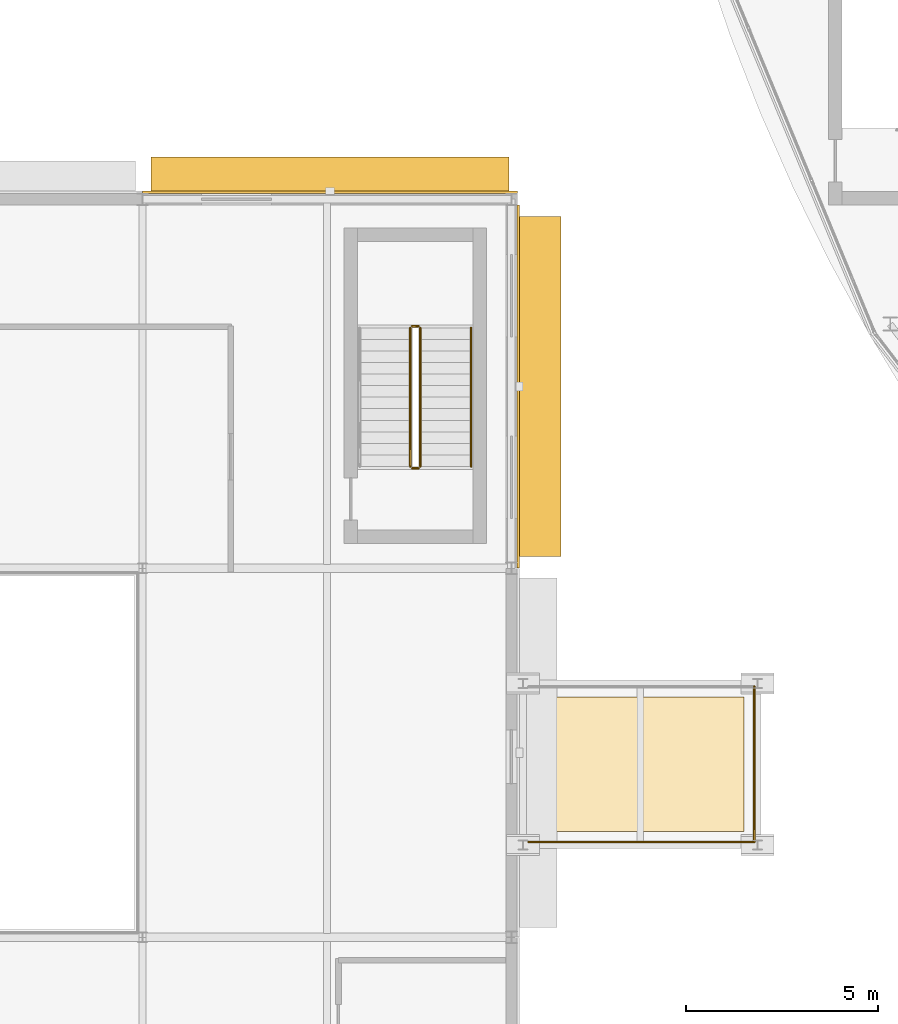
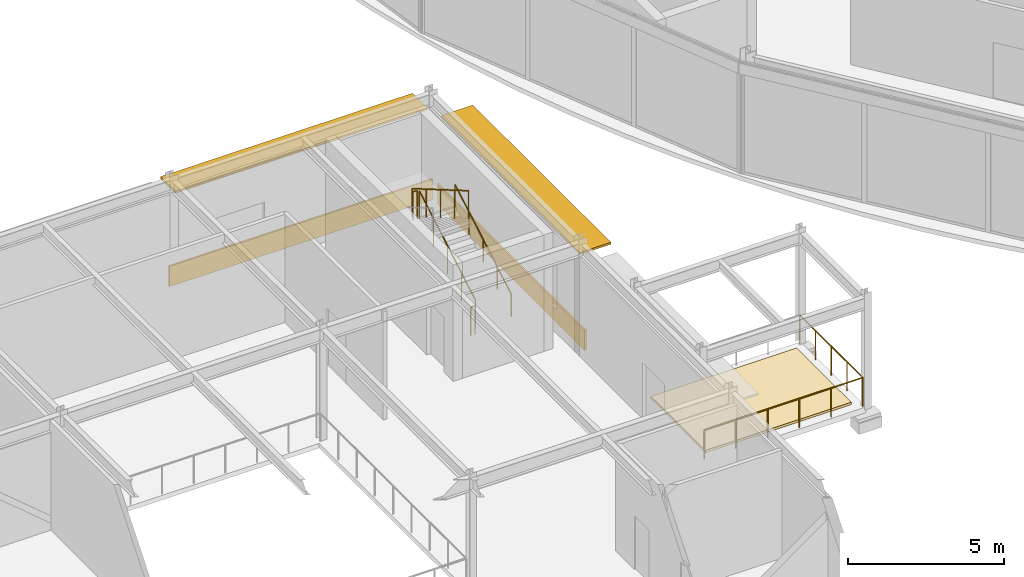
# One storey, part 137 of 157: 7 railings, 3 coverings, 2 shading devices.
"""IFC4 building model written with IfcOpenShell, lengths in metres."""

from ifc_helpers import new_model, si_unit, direction, frame, origin, origin_2d, place, context, subcontext, project, spatial, polyline, rectangle, circle, outline, extrude, material, layer, layer_set, type_object, element, save


model = new_model("IFC4")

# Units and contexts
model_context = context("Model", 3, precision=1e-05, world=origin(), true_north=direction((0.0, 1.0)))
body_context = subcontext(model_context, "Body", "Model", "MODEL_VIEW")
ifc_project = project(units=[si_unit("LENGTHUNIT", "METRE"), si_unit("AREAUNIT", "SQUARE_METRE"), si_unit("VOLUMEUNIT", "CUBIC_METRE"), si_unit("PLANEANGLEUNIT", "RADIAN"), si_unit("MASSUNIT", "GRAM", prefix="KILO")], contexts=[model_context])

# Site, building, storey
site_placement = place(None, origin())
site = spatial("IfcSite", under=ifc_project, at=site_placement, CompositionType="ELEMENT")
building_placement = place(site_placement, origin())
building = spatial("IfcBuilding", under=site, at=building_placement, Name="Almandine Court Research Institute", CompositionType="ELEMENT")
storey_placement = place(building_placement, frame((0.0, 0.0, 5.25)))
storey = spatial("IfcBuildingStorey", under=building, at=storey_placement, Name="L01", CompositionType="ELEMENT", Elevation=5.25)

# Coverings
ifc_material_1 = material(Name="Honed Andean Red-Buff Sandstone Cladding", Category="masonry")
ifc_layer_1 = layer(ifc_material_1, 0.06494140625)
ifc_layer_set_1 = layer_set([ifc_layer_1], Name="Honed Andean Red-Buff Sandstone Cladding")
covering_type_1 = type_object("IfcCoveringType", Name="Cov-CLAD-SAND", PredefinedType="CLADDING", material=ifc_layer_set_1)
covering_1_placement = place(storey_placement, frame((30.0791015625, 34.985107421875, 0.02001953125), z_axis=(0.0, 0.0, 1.0), x_axis=(1.0, 0.0, 0.0)))
element("IfcCovering", 1, at=covering_1_placement, inside=storey, type_object=covering_type_1, Name="L01 Facade Spandrel Cladding Band 17", PredefinedType="CLADDING", context=body_context, shape_type="SweptSolid", body=[
    extrude(rectangle(XDim=9.7509765625, YDim=0.06494140625, at=origin_2d()), origin(), (0.0, 0.0, 1.0), 0.800048828125),
])
covering_2_placement = place(storey_placement, frame((34.97509765625, 29.927978515625, 0.02001953125), z_axis=(0.0, 0.0, 1.0), x_axis=(0.0, -1.0, 0.0)))
element("IfcCovering", 2, at=covering_2_placement, inside=storey, type_object=covering_type_1, Name="L01 Facade Spandrel Cladding Band 20", PredefinedType="CLADDING", context=body_context, shape_type="SweptSolid", body=[
    extrude(rectangle(XDim=9.447021484375, YDim=0.06494140625, at=origin_2d()), origin(), (0.0, 0.0, 1.0), 0.800048828125),
])
ifc_material_2 = material(Name="Thermoplastic Polyolefin Insulated Roof Membrane")
ifc_layer_2 = layer(ifc_material_2, 0.094970703125)
ifc_layer_set_2 = layer_set([ifc_layer_2], Name="Thermoplastic Polyolefin Insulated Roof Membrane")
covering_type_2 = type_object("IfcCoveringType", Name="Cov-ROOF-MEMB", PredefinedType="ROOFING", material=ifc_layer_set_2)
covering_3_placement = place(storey_placement, origin())
element("IfcCovering", 3, at=covering_3_placement, inside=storey, type_object=covering_type_2, Name="L01 Planted Green Roof Covering 19", PredefinedType="ROOFING", context=body_context, shape_type="SweptSolid", body=[
    extrude(outline(polyline([(35.449951171875, 18.35009765625), (35.449951171875, 21.85009765625), (40.85009765625, 21.85009765625), (40.85009765625, 18.35009765625), (35.449951171875, 18.35009765625)])), origin(), (0.0, 0.0, 1.0), 0.094970703125),
])

# Railings
ifc_material_3 = material(Name="Architectural Powder-Coated Aluminium Balustrade", Category="aluminium")
railing_type_1 = type_object("IfcRailingType", Name="Rail-BAL-EXT", PredefinedType="BALUSTRADE", material=ifc_material_3)
railing_1_placement = place(storey_placement, frame((41.1201171875, 22.1201171875, 0.0)))
element("IfcRailing", 4, at=railing_1_placement, inside=storey, type_object=railing_type_1, Name="L01 Terrace Perimeter Balustrade 153", PredefinedType="BALUSTRADE", context=body_context, shape_type="SweptSolid", body=[
    extrude(circle(Radius=0.02392578125, at=origin_2d()), frame((0.0, 0.0, 1.1259765625), z_axis=(0.0, -1.0, 0.0), x_axis=(1.0, 0.0, 0.0)), (0.0, 0.0, 1.0), 4.0400390625),
    extrude(circle(Radius=0.02099609375, at=origin_2d()), origin(), (0.0, 0.0, 1.0), 1.101806640625),
    extrude(circle(Radius=0.02099609375, at=origin_2d()), frame((0.0, -1.010009765625, 0.0)), (0.0, 0.0, 1.0), 1.101806640625),
    extrude(circle(Radius=0.02099609375, at=origin_2d()), frame((0.0, -2.02001953125, 0.0)), (0.0, 0.0, 1.0), 1.101806640625),
    extrude(circle(Radius=0.02099609375, at=origin_2d()), frame((0.0, -3.030029296875, 0.0)), (0.0, 0.0, 1.0), 1.101806640625),
    extrude(circle(Radius=0.02099609375, at=origin_2d()), frame((0.0, -4.0400390625, 0.0)), (0.0, 0.0, 1.0), 1.101806640625),
])
railing_2_placement = place(storey_placement, frame((41.1201171875, 18.080078125, 0.0)))
element("IfcRailing", 5, at=railing_2_placement, inside=storey, type_object=railing_type_1, Name="L01 Terrace Perimeter Balustrade 154", PredefinedType="BALUSTRADE", context=body_context, shape_type="SweptSolid", body=[
    extrude(circle(Radius=0.02392578125, at=origin_2d()), frame((0.0, 0.0, 1.1259765625), z_axis=(-1.0, 0.0, 0.0), x_axis=(0.0, -1.0, 0.0)), (0.0, 0.0, 1.0), 5.8701171875),
    extrude(circle(Radius=0.02099609375, at=origin_2d()), origin(), (0.0, 0.0, 1.0), 1.101806640625),
    extrude(circle(Radius=0.02099609375, at=origin_2d()), frame((-1.174072265625, 0.0, 0.0)), (0.0, 0.0, 1.0), 1.101806640625),
    extrude(circle(Radius=0.02099609375, at=origin_2d()), frame((-2.34814453125, 0.0, 0.0)), (0.0, 0.0, 1.0), 1.101806640625),
    extrude(circle(Radius=0.02099609375, at=origin_2d()), frame((-3.52197265625, 0.0, 0.0)), (0.0, 0.0, 1.0), 1.101806640625),
    extrude(circle(Radius=0.02099609375, at=origin_2d()), frame((-4.696044921875, 0.0, 0.0)), (0.0, 0.0, 1.0), 1.101806640625),
    extrude(circle(Radius=0.02099609375, at=origin_2d()), frame((-5.8701171875, 0.0, 0.0)), (0.0, 0.0, 1.0), 1.101806640625),
])
ifc_material_4 = material(Name="Powder-Coated Steel Stair and Atrium Balustrade", Category="steel")
railing_type_2 = type_object("IfcRailingType", Name="Rail-GUARD-INT", PredefinedType="BALUSTRADE", material=ifc_material_4)
railing_3_placement = place(storey_placement, frame((32.429931640625, 27.85009765625, 0.175048828125)))
element("IfcRailing", 6, at=railing_3_placement, inside=storey, type_object=railing_type_2, Name="L01 ST-02 stair guard 1", PredefinedType="BALUSTRADE", context=body_context, shape_type="SweptSolid", body=[
    extrude(circle(Radius=0.02392578125, at=origin_2d()), frame((0.0, 0.0, 1.09619140625), z_axis=(0.0, 0.86378527499, 0.503860098351), x_axis=(-1.0, 0.0, 0.0)), (0.0, 0.0, 1.0), 4.16748046875),
    extrude(circle(Radius=0.02099609375, at=origin_2d()), origin(), (0.0, 0.0, 1.0), 1.072021484375),
    extrude(circle(Radius=0.02099609375, at=origin_2d()), frame((0.0, 0.89990234375, 0.52490234375)), (0.0, 0.0, 1.0), 1.072021484375),
    extrude(circle(Radius=0.02099609375, at=origin_2d()), frame((0.0, 1.7998046875, 1.0498046875)), (0.0, 0.0, 1.0), 1.072021484375),
    extrude(circle(Radius=0.02099609375, at=origin_2d()), frame((0.0, 2.699951171875, 1.574951171875)), (0.0, 0.0, 1.0), 1.072021484375),
    extrude(circle(Radius=0.02099609375, at=origin_2d()), frame((0.0, 3.599853515625, 2.099853515625)), (0.0, 0.0, 1.0), 1.072021484375),
])
railing_4_placement = place(storey_placement, frame((32.3798828125, 31.5, 2.27490234375)))
element("IfcRailing", 7, at=railing_4_placement, inside=storey, type_object=railing_type_2, Name="L01 ST-02 stair guard 2", PredefinedType="BALUSTRADE", context=body_context, shape_type="SweptSolid", body=[
    extrude(circle(Radius=0.02392578125, at=origin_2d()), frame((0.0, 0.0, 1.09619140625), z_axis=(-1.0, 0.0, 0.0), x_axis=(0.0, -1.0, 0.0)), (0.0, 0.0, 1.0), 0.159912109375),
    extrude(circle(Radius=0.02099609375, at=origin_2d()), origin(), (0.0, 0.0, 1.0), 1.072021484375),
    extrude(circle(Radius=0.02099609375, at=origin_2d()), frame((-0.159912109375, 0.0, 0.0)), (0.0, 0.0, 1.0), 1.072021484375),
])
railing_5_placement = place(storey_placement, frame((32.169921875, 31.449951171875, 2.449951171875)))
element("IfcRailing", 8, at=railing_5_placement, inside=storey, type_object=railing_type_2, Name="L01 ST-02 stair guard 3", PredefinedType="BALUSTRADE", context=body_context, shape_type="SweptSolid", body=[
    extrude(circle(Radius=0.02392578125, at=origin_2d()), frame((0.0, 0.0, 1.09619140625), z_axis=(0.0, -0.863759778359, 0.503903805591), x_axis=(1.0, 0.0, 0.0)), (0.0, 0.0, 1.0), 4.167724609375),
    extrude(circle(Radius=0.02099609375, at=origin_2d()), origin(), (0.0, 0.0, 1.0), 1.072021484375),
    extrude(circle(Radius=0.02099609375, at=origin_2d()), frame((0.0, -0.89990234375, 0.52490234375)), (0.0, 0.0, 1.0), 1.072021484375),
    extrude(circle(Radius=0.02099609375, at=origin_2d()), frame((0.0, -1.7998046875, 1.050048828125)), (0.0, 0.0, 1.0), 1.072021484375),
    extrude(circle(Radius=0.02099609375, at=origin_2d()), frame((0.0, -2.699951171875, 1.5751953125)), (0.0, 0.0, 1.0), 1.072021484375),
    extrude(circle(Radius=0.02099609375, at=origin_2d()), frame((0.0, -3.599853515625, 2.10009765625)), (0.0, 0.0, 1.0), 1.072021484375),
])
railing_6_placement = place(storey_placement, frame((32.3798828125, 27.800048828125, 0.0)))
element("IfcRailing", 9, at=railing_6_placement, inside=storey, type_object=railing_type_2, Name="L01 ST-02 stair guard 4", PredefinedType="BALUSTRADE", context=body_context, shape_type="SweptSolid", body=[
    extrude(circle(Radius=0.02392578125, at=origin_2d()), frame((0.0, 0.0, 1.09619140625), z_axis=(-1.0, 0.0, 0.0), x_axis=(0.0, -1.0, 0.0)), (0.0, 0.0, 1.0), 0.159912109375),
    extrude(circle(Radius=0.02099609375, at=origin_2d()), origin(), (0.0, 0.0, 1.0), 1.072021484375),
    extrude(circle(Radius=0.02099609375, at=origin_2d()), frame((-0.159912109375, 0.0, 0.0)), (0.0, 0.0, 1.0), 1.072021484375),
])
ifc_material_5 = material(Name="Brushed Stainless Steel Wall Handrail", Category="steel")
railing_type_3 = type_object("IfcRailingType", Name="Rail-HAND-INT", PredefinedType="HANDRAIL", material=ifc_material_5)
railing_7_placement = place(storey_placement, frame((33.75, 27.85009765625, 0.175048828125)))
element("IfcRailing", 10, at=railing_7_placement, inside=storey, type_object=railing_type_3, Name="L01 ST-02 stair handrail 1", PredefinedType="HANDRAIL", context=body_context, shape_type="SweptSolid", body=[
    extrude(circle(Radius=0.02392578125, at=origin_2d()), frame((0.0, 0.0, 0.8759765625), z_axis=(0.0, 0.86378527499, 0.503860098351), x_axis=(-1.0, 0.0, 0.0)), (0.0, 0.0, 1.0), 4.16748046875),
    extrude(circle(Radius=0.02099609375, at=origin_2d()), origin(), (0.0, 0.0, 1.0), 0.851806640625),
    extrude(circle(Radius=0.02099609375, at=origin_2d()), frame((0.0, 0.89990234375, 0.52490234375)), (0.0, 0.0, 1.0), 0.851806640625),
    extrude(circle(Radius=0.02099609375, at=origin_2d()), frame((0.0, 1.7998046875, 1.0498046875)), (0.0, 0.0, 1.0), 0.851806640625),
    extrude(circle(Radius=0.02099609375, at=origin_2d()), frame((0.0, 2.699951171875, 1.574951171875)), (0.0, 0.0, 1.0), 0.851806640625),
    extrude(circle(Radius=0.02099609375, at=origin_2d()), frame((0.0, 3.599853515625, 2.099853515625)), (0.0, 0.0, 1.0), 0.851806640625),
])

# Shading devices
ifc_material_6 = material(Name="Precast GFRC Chhajja Sunshade and Acoustic Louvre", Category="concrete")
ifc_layer_3 = layer(ifc_material_6, 0.080078125)
ifc_layer_set_3 = layer_set([ifc_layer_3], Name="Precast GFRC Chhajja Sunshade and Acoustic Louvre")
shading_device_type_1 = type_object("IfcShadingDeviceType", Name="Shd-SD-03", PredefinedType="AWNING", material=ifc_layer_set_3)
shading_device_1_placement = place(storey_placement, frame((35.510009765625, 29.927978515625, 3.60400390625), z_axis=(0.0, 0.0, 1.0), x_axis=(0.0, -1.0, 0.0)))
element("IfcShadingDevice", 11, at=shading_device_1_placement, inside=storey, type_object=shading_device_type_1, Name="L01 Projecting Chhajja Sunshade 7", PredefinedType="AWNING", context=body_context, shape_type="SweptSolid", body=[
    extrude(rectangle(XDim=8.85693359375, YDim=1.14990234375, at=origin_2d()), origin(), (0.0, 0.0, 1.0), 0.080078125),
])
ifc_layer_4 = layer(ifc_material_6, 0.080078125)
ifc_layer_set_4 = layer_set([ifc_layer_4], Name="Precast GFRC Chhajja Sunshade and Acoustic Louvre")
shading_device_type_2 = type_object("IfcShadingDeviceType", Name="Shd-SD-05", PredefinedType="AWNING", material=ifc_layer_set_4)
shading_device_2_placement = place(storey_placement, frame((30.0791015625, 35.419921875, 3.60400390625), z_axis=(0.0, 0.0, 1.0), x_axis=(1.0, 0.0, 0.0)))
element("IfcShadingDevice", 12, at=shading_device_2_placement, inside=storey, type_object=shading_device_type_2, Name="L01 Projecting Chhajja Sunshade 5", PredefinedType="AWNING", context=body_context, shape_type="SweptSolid", body=[
    extrude(rectangle(XDim=9.321044921875, YDim=0.949951171875, at=origin_2d()), origin(), (0.0, 0.0, 1.0), 0.080078125),
])

save(model, "model.ifc")
